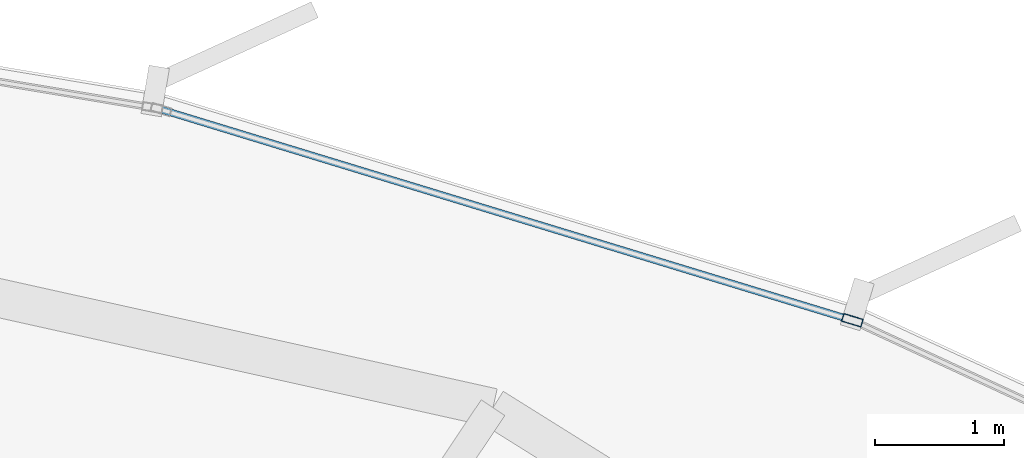
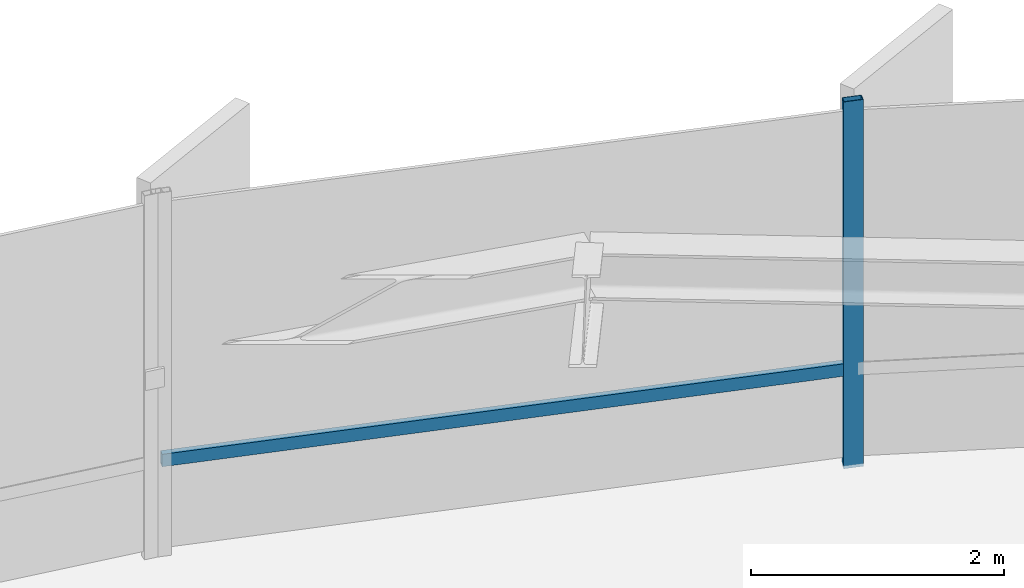
# One storey, part 26 of 35: 2 members, 1 element without a shape of its own.
"""IFC4 building model written with IfcOpenShell, lengths in metres."""

from ifc_helpers import new_model, si_unit, direction, frame, origin, origin_2d, place, context, subcontext, project, spatial, hollow_rectangle, extrude, source, transform, mapped, material, layer, layer_set, material_profile, profile_set, type_object, element, aggregate, save


model = new_model("IFC4")

# Units and contexts
model_context = context("Model", 3, precision=1e-05, world=origin(), true_north=direction((0.0, 1.0)))
body_context = subcontext(model_context, "Body", "Model", "MODEL_VIEW")
ifc_project = project(units=[si_unit("LENGTHUNIT", "METRE"), si_unit("AREAUNIT", "SQUARE_METRE"), si_unit("VOLUMEUNIT", "CUBIC_METRE"), si_unit("PLANEANGLEUNIT", "RADIAN"), si_unit("MASSUNIT", "GRAM", prefix="KILO"), si_unit("THERMODYNAMICTEMPERATUREUNIT", "KELVIN")], contexts=[model_context])

# Site, building, storey
site_placement = place(None, origin())
site = spatial("IfcSite", under=ifc_project, at=site_placement, CompositionType="ELEMENT")
building_placement = place(site_placement, origin())
building = spatial("IfcBuilding", under=site, at=building_placement, Name="Kethvar Cultural Tower", CompositionType="ELEMENT")
storey_placement = place(building_placement, frame((0.0, 0.0, 71.39990234375)))
storey = spatial("IfcBuildingStorey", under=building, at=storey_placement, Name="L17", CompositionType="ELEMENT", Elevation=71.39990234375)

# Curtain wall, members
ifc_material = material(Name="Aluminium 6063-T6", Category="aluminium")
ifc_layer = layer(ifc_material, 0.179931640625, Name="Aluminium 6063-T6", Category="aluminium")
ifc_layer_set = layer_set([ifc_layer], Name="Aluminium 6063-T6 (180 mm)")
curtain_wall_type = type_object("IfcCurtainWallType", Name="CW-SYS-02-Z1", PredefinedType="NOTDEFINED", material=ifc_layer_set)
curtain_wall_placement = place(storey_placement, origin())
curtain_wall = element("IfcCurtainWall", 1, at=curtain_wall_placement, inside=storey, type_object=curtain_wall_type, Name="L17 Curtain Wall Run 01", PredefinedType="NOTDEFINED")
ifc_material_profile_1 = material_profile(ifc_material, hollow_rectangle(XDim=0.06494140625, YDim=0.159912109375, WallThickness=0.0048828125, at=origin_2d()), Name="Aluminium 6063-T6 — RHS160x65x5")
ifc_profile_set_1 = profile_set([ifc_material_profile_1], Name="Aluminium 6063-T6 — RHS160x65x5")
member_type_1 = type_object("IfcMemberType", Name="CW-SYS-02-Z1-MUL", PredefinedType="MULLION", material=ifc_profile_set_1)
shared_shape_1 = source(origin(), body_context, "Body", "SweptSolid", [
    extrude(hollow_rectangle(XDim=0.06494140625, YDim=0.159912109375, WallThickness=0.0048828125, at=origin_2d()), origin(), (0.0, 0.0, 1.0), 3.5400390625),
])
member_1_placement = place(storey_placement, frame((64.39404296875, 50.633056640625, 0.0), z_axis=(0.0, 0.0, 1.0), x_axis=(-0.291620534626, -0.956534089191, 0.0)))
member_1 = element("IfcMember", 2, at=member_1_placement, type_object=member_type_1, Name="CW-L17-R01 Mullion 6", PredefinedType="MULLION", context=body_context, shape_type="MappedRepresentation", body=[
    mapped(shared_shape_1, transform((0.0, 0.0, 0.0), scale=1.0)),
])
ifc_material_profile_2 = material_profile(ifc_material, hollow_rectangle(XDim=0.054931640625, YDim=0.1201171875, WallThickness=0.00390625, at=origin_2d()), Name="Aluminium 6063-T6 — RHS120x55x4")
ifc_profile_set_2 = profile_set([ifc_material_profile_2], Name="Aluminium 6063-T6 — RHS120x55x4")
member_type_2 = type_object("IfcMemberType", Name="CW-SYS-02-Z1-TRN", PredefinedType="USERDEFINED", material=ifc_profile_set_2)
shared_shape_2 = source(origin(), body_context, "Body", "SweptSolid", [
    extrude(hollow_rectangle(XDim=0.054931640625, YDim=0.1201171875, WallThickness=0.00390625, at=origin_2d()), origin(), (0.0, 0.0, 1.0), 5.561767578125),
])
member_2_placement = place(storey_placement, frame((64.34912109375, 50.646728515625, 0.9501953125), z_axis=(-0.956527567967, 0.291641923802, 0.0), x_axis=(-0.291641923802, -0.956527567967, 0.0)))
member_2 = element("IfcMember", 3, at=member_2_placement, type_object=member_type_2, Name="CW-L17-R01 Transom 6", ObjectType="TRANSOM", PredefinedType="USERDEFINED", context=body_context, shape_type="MappedRepresentation", body=[
    mapped(shared_shape_2, transform((0.0, 0.0, 0.0), scale=1.0)),
])
aggregate(curtain_wall, [member_1, member_2])

save(model, "model.ifc")
